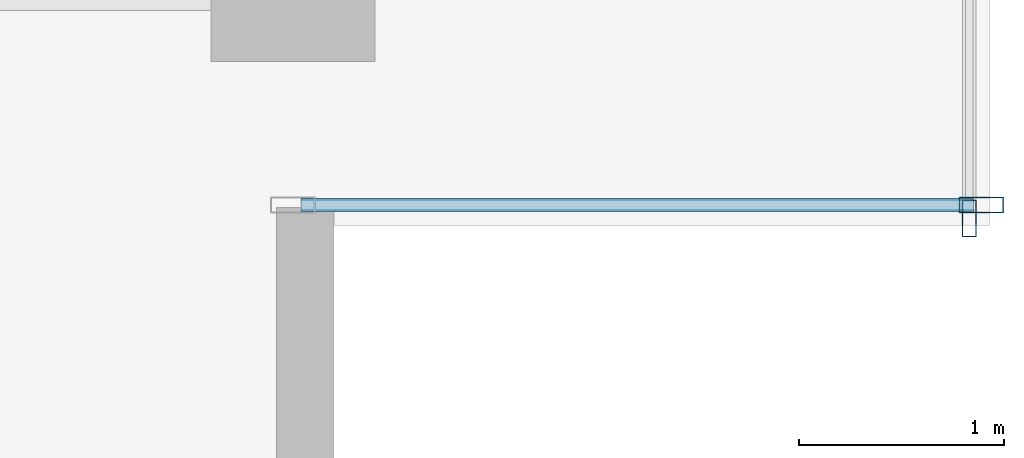
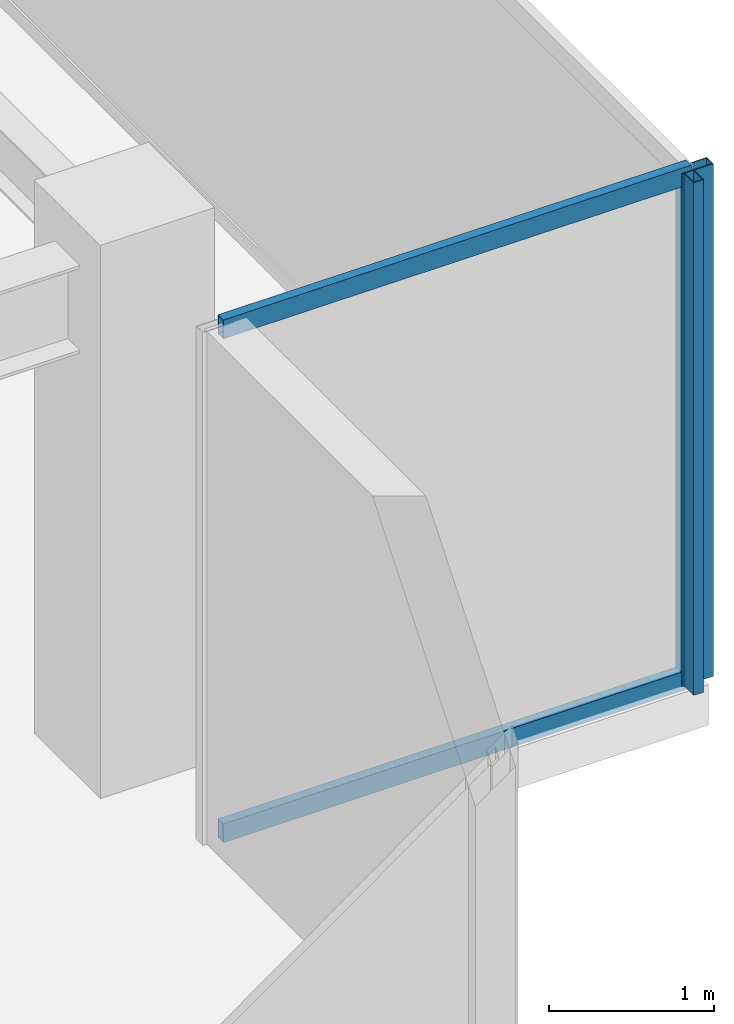
# One storey, part 22 of 33: 4 members, 2 elements without a shape of their own.
"""IFC4 building model written with IfcOpenShell, lengths in metres."""

from ifc_helpers import new_model, si_unit, direction, frame, origin, origin_2d, place, context, subcontext, project, spatial, hollow_rectangle, extrude, source, transform, mapped, material, layer, layer_set, material_profile, profile_set, type_object, type_shapes, element, aggregate, save


model = new_model("IFC4")

# Units and contexts
model_context = context("Model", 3, precision=1e-05, world=origin(), true_north=direction((0.0, 1.0)))
body_context = subcontext(model_context, "Body", "Model", "MODEL_VIEW")
ifc_project = project(units=[si_unit("LENGTHUNIT", "METRE"), si_unit("AREAUNIT", "SQUARE_METRE"), si_unit("VOLUMEUNIT", "CUBIC_METRE"), si_unit("PLANEANGLEUNIT", "RADIAN"), si_unit("MASSUNIT", "GRAM", prefix="KILO")], contexts=[model_context])

# Site, building, storey
site_placement = place(None, origin())
site = spatial("IfcSite", under=ifc_project, at=site_placement, CompositionType="ELEMENT")
building_placement = place(site_placement, origin())
building = spatial("IfcBuilding", under=site, at=building_placement, Name="Haelvirn Gate Laboratories", CompositionType="ELEMENT")
storey_placement = place(building_placement, frame((0.0, 0.0, 275.199951171875)))
storey = spatial("IfcBuildingStorey", under=building, at=storey_placement, Name="L66", CompositionType="ELEMENT", Elevation=275.199951171875)

# Curtain wall, members
ifc_material_1 = material(Name="Anodised bronze unitised aluminium & triple low-E glass", Category="aluminium")
ifc_layer_1 = layer(ifc_material_1, 0.181884765625, Name="CW-SYS-5")
ifc_layer_set_1 = layer_set([ifc_layer_1], Name="Anodised bronze unitised aluminium & triple low-E glass")
curtain_wall_type_1 = type_object("IfcCurtainWallType", Name="CW-SYS-5", PredefinedType="NOTDEFINED", material=ifc_layer_set_1)
curtain_wall_1_placement = place(storey_placement, origin())
curtain_wall_1 = element("IfcCurtainWall", 1, at=curtain_wall_1_placement, inside=storey, type_object=curtain_wall_type_1, Name="L66 Unitised Curtain Wall CW-L66-P0-E06-1", PredefinedType="NOTDEFINED")
ifc_material_2 = material(Name="Extruded aluminium 6063-T6 (anodised bronze)", Category="aluminium")
ifc_material_profile_1 = material_profile(ifc_material_2, hollow_rectangle(XDim=0.06494140625, YDim=0.139892578125, WallThickness=0.00390625, at=origin_2d()), Name="CWT-140x65x4")
ifc_profile_set_1 = profile_set([ifc_material_profile_1], Name="Extruded aluminium 6063-T6 (anodised bronze)")
member_type_1 = type_object("IfcMemberType", Name="CWT-T140", PredefinedType="USERDEFINED", material=ifc_profile_set_1)
shared_shape_1 = source(origin(), body_context, "Body", "SweptSolid", [
    extrude(hollow_rectangle(XDim=0.06494140625, YDim=0.139892578125, WallThickness=0.00390625, at=origin_2d()), origin(), (0.0, 0.0, 1.0), 3.280029296875),
])
type_shapes(member_type_1, [shared_shape_1])
member_1_placement = place(storey_placement, frame((67.43994140625, 5.89990234375, 0.032470703125), z_axis=(1.0, 0.0, 0.0), x_axis=(0.0, 1.0, 0.0)))
member_1 = element("IfcMember", 2, at=member_1_placement, type_object=member_type_1, Name="CW5 transom 1.1", ObjectType="TRANSOM", PredefinedType="USERDEFINED", context=body_context, shape_type="MappedRepresentation", body=[
    mapped(shared_shape_1, transform((0.0, 0.0, 0.0), scale=1.0)),
])
member_2_placement = place(storey_placement, frame((67.43994140625, 5.89990234375, 3.767578125), z_axis=(1.0, 0.0, 0.0), x_axis=(0.0, 1.0, 0.0)))
member_2 = element("IfcMember", 3, at=member_2_placement, type_object=member_type_1, Name="CW5 transom 1.2", ObjectType="TRANSOM", PredefinedType="USERDEFINED", context=body_context, shape_type="MappedRepresentation", body=[
    mapped(shared_shape_1, transform((0.0, 0.0, 0.0), scale=1.0)),
])

# Curtain wall, member
ifc_layer_2 = layer(ifc_material_1, 0.176025390625, Name="CW-SYS-4")
ifc_layer_set_2 = layer_set([ifc_layer_2], Name="Anodised bronze unitised aluminium & triple low-E glass")
curtain_wall_type_2 = type_object("IfcCurtainWallType", Name="CW-SYS-4", PredefinedType="NOTDEFINED", material=ifc_layer_set_2)
curtain_wall_2_placement = place(storey_placement, origin())
curtain_wall_2 = element("IfcCurtainWall", 4, at=curtain_wall_2_placement, inside=storey, type_object=curtain_wall_type_2, Name="L66 Unitised Curtain Wall CW-L66-P0-E07", PredefinedType="NOTDEFINED")
ifc_material_profile_2 = material_profile(ifc_material_2, hollow_rectangle(XDim=0.070068359375, YDim=0.179931640625, WallThickness=0.0048828125, at=origin_2d()), Name="CWM-180x70x5")
ifc_profile_set_2 = profile_set([ifc_material_profile_2], Name="Extruded aluminium 6063-T6 (anodised bronze)")
member_type_2 = type_object("IfcMemberType", Name="CWM-T180", PredefinedType="MULLION", material=ifc_profile_set_2)
shared_shape_2 = source(origin(), body_context, "Body", "SweptSolid", [
    extrude(hollow_rectangle(XDim=0.070068359375, YDim=0.179931640625, WallThickness=0.0048828125, at=origin_2d()), origin(), (0.0, 0.0, 1.0), 3.800048828125),
])
type_shapes(member_type_2, [shared_shape_2])
member_3_placement = place(storey_placement, frame((70.699951171875, 5.8349609375, 0.0), z_axis=(0.0, 0.0, 1.0), x_axis=(-1.0, 0.0, 0.0)))
member_3 = element("IfcMember", 5, at=member_3_placement, type_object=member_type_2, Name="CW4 mullion 1", PredefinedType="MULLION", context=body_context, shape_type="MappedRepresentation", body=[
    mapped(shared_shape_2, transform((0.0, 0.0, 0.0), scale=1.0)),
])
aggregate(curtain_wall_2, [member_3])

# Member
ifc_material_profile_3 = material_profile(ifc_material_2, hollow_rectangle(XDim=0.080078125, YDim=0.219970703125, WallThickness=0.006103515625, at=origin_2d()), Name="CWM-220x80x6")
ifc_profile_set_3 = profile_set([ifc_material_profile_3], Name="Extruded aluminium 6063-T6 (anodised bronze)")
member_type_3 = type_object("IfcMemberType", Name="CWM-T220", PredefinedType="MULLION", material=ifc_profile_set_3)
shared_shape_3 = source(origin(), body_context, "Body", "SweptSolid", [
    extrude(hollow_rectangle(XDim=0.080078125, YDim=0.219970703125, WallThickness=0.006103515625, at=origin_2d()), origin(), (0.0, 0.0, 1.0), 3.800048828125),
])
type_shapes(member_type_3, [shared_shape_3])
member_4_placement = place(storey_placement, frame((70.760009765625, 5.89990234375, 0.0), z_axis=(0.0, 0.0, 1.0), x_axis=(0.0, 1.0, 0.0)))
member_4 = element("IfcMember", 6, at=member_4_placement, type_object=member_type_3, Name="CW5 mullion 2", PredefinedType="MULLION", context=body_context, shape_type="MappedRepresentation", body=[
    mapped(shared_shape_3, transform((0.0, 0.0, 0.0), scale=1.0)),
])

aggregate(curtain_wall_1, [member_4, member_1, member_2])

save(model, "model.ifc")
